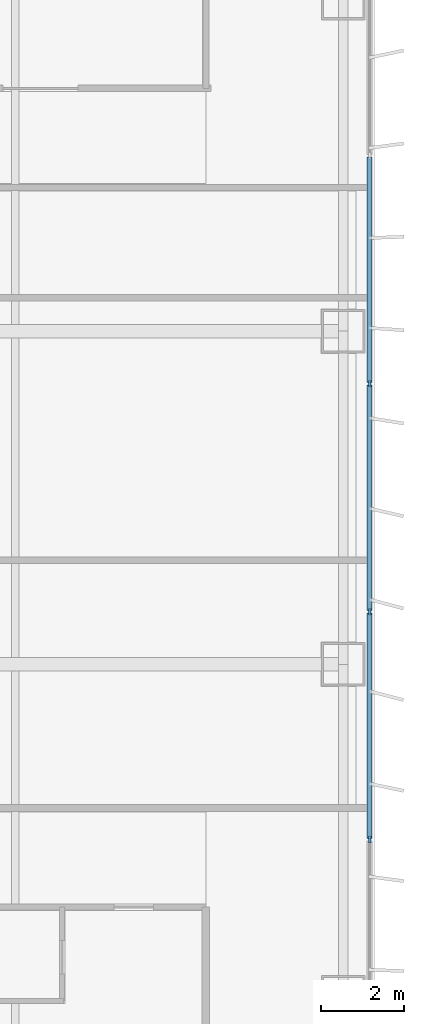
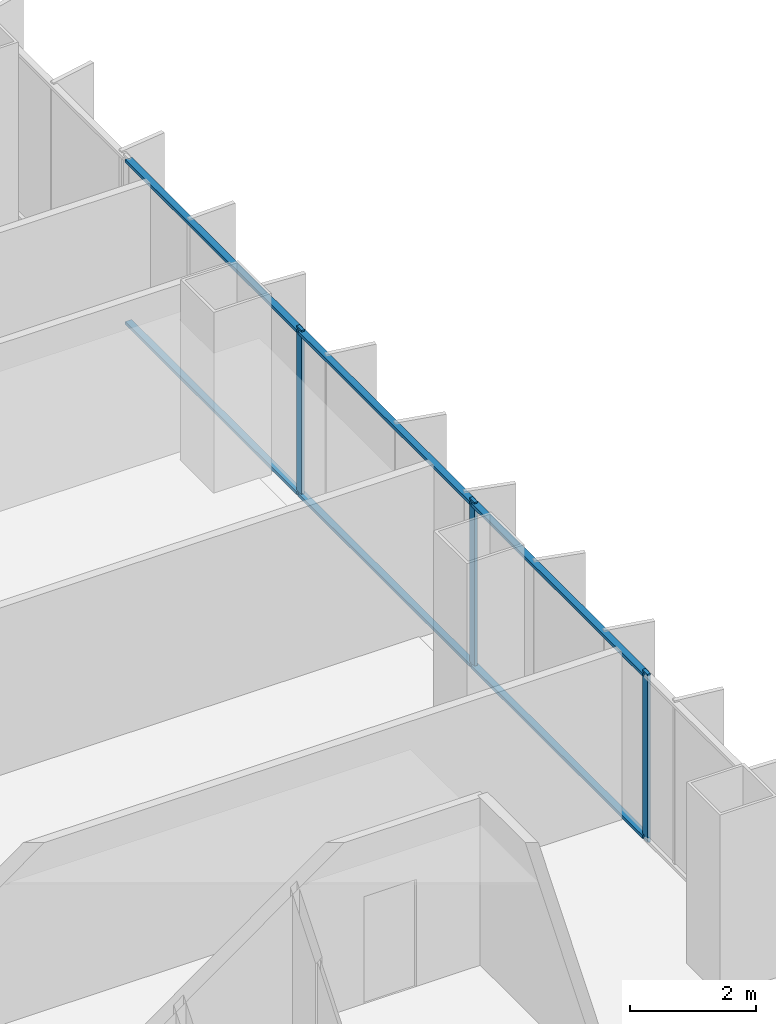
# One storey, part 8 of 19: 9 members, 1 element without a shape of its own.
"""IFC4 building model written with IfcOpenShell, lengths in metres."""

from ifc_helpers import new_model, si_unit, direction, frame, origin, origin_2d, place, context, subcontext, project, spatial, rectangle, extrude, material, layer, layer_set, material_profile, profile_set, type_object, element, aggregate, save


model = new_model("IFC4")

# Units and contexts
model_context = context("Model", 3, precision=1e-05, world=origin(), true_north=direction((0.0, 1.0)))
body_context = subcontext(model_context, "Body", "Model", "MODEL_VIEW")
ifc_project = project(units=[si_unit("LENGTHUNIT", "METRE"), si_unit("AREAUNIT", "SQUARE_METRE"), si_unit("VOLUMEUNIT", "CUBIC_METRE"), si_unit("PLANEANGLEUNIT", "RADIAN"), si_unit("MASSUNIT", "GRAM", prefix="KILO")], contexts=[model_context])

# Site, building, storey
site_placement = place(None, origin())
site = spatial("IfcSite", under=ifc_project, at=site_placement, CompositionType="ELEMENT")
building_placement = place(site_placement, origin())
building = spatial("IfcBuilding", under=site, at=building_placement, Name="Trevonay Congress Spire", CompositionType="ELEMENT")
storey_placement = place(building_placement, frame((0.0, 0.0, 58.5)))
storey = spatial("IfcBuildingStorey", under=building, at=storey_placement, Name="L14", CompositionType="ELEMENT", Elevation=58.5)

# Curtain wall, members
ifc_material = material(Name="Pale Anodised Aluminium EN AW-6063-T6", Category="aluminium")
ifc_layer = layer(ifc_material, 0.179931640625, Name="Pale Anodised Aluminium EN AW-6063-T6")
ifc_layer_set = layer_set([ifc_layer], Name="Pale Anodised Aluminium EN AW-6063-T6")
curtain_wall_type = type_object("IfcCurtainWallType", Name="CW-SYS02-HOTEL-PALE-METAL", PredefinedType="NOTDEFINED", material=ifc_layer_set)
curtain_wall_placement = place(storey_placement, origin())
curtain_wall = element("IfcCurtainWall", 1, at=curtain_wall_placement, inside=storey, type_object=curtain_wall_type, Name="L14 E unitised curtain wall", PredefinedType="NOTDEFINED")
ifc_material_profile_1 = material_profile(ifc_material, rectangle(XDim=0.06005859375, YDim=0.159912109375, at=origin_2d()), Name="CW-MULLION-160-ALUMINIUM")
ifc_profile_set_1 = profile_set([ifc_material_profile_1], Name="Pale Anodised Aluminium EN AW-6063-T6")
member_type_1 = type_object("IfcMemberType", Name="CW-MULLION-160-ALUMINIUM", PredefinedType="MULLION", material=ifc_profile_set_1)
member_1_placement = place(storey_placement, frame((23.8798828125, -8.20703125, 0.0), z_axis=(0.0, 0.0, 1.0), x_axis=(-1.0, 0.0, 0.0)))
member_1 = element("IfcMember", 2, at=member_1_placement, type_object=member_type_1, Name="CW02 mullion 3", PredefinedType="MULLION", context=body_context, shape_type="SweptSolid", body=[
    extrude(rectangle(XDim=0.06005859375, YDim=0.159912109375, at=origin_2d()), origin(), (0.0, 0.0, 1.0), 3.25),
])
member_2_placement = place(storey_placement, frame((23.8798828125, -2.735595703125, 0.0), z_axis=(0.0, 0.0, 1.0), x_axis=(-1.0, 0.0, 0.0)))
member_2 = element("IfcMember", 3, at=member_2_placement, type_object=member_type_1, Name="CW02 mullion 4", PredefinedType="MULLION", context=body_context, shape_type="SweptSolid", body=[
    extrude(rectangle(XDim=0.06005859375, YDim=0.159912109375, at=origin_2d()), origin(), (0.0, 0.0, 1.0), 3.25),
])
member_3_placement = place(storey_placement, frame((23.8798828125, 2.735595703125, 0.0), z_axis=(0.0, 0.0, 1.0), x_axis=(-1.0, 0.0, 0.0)))
member_3 = element("IfcMember", 4, at=member_3_placement, type_object=member_type_1, Name="CW02 mullion 5", PredefinedType="MULLION", context=body_context, shape_type="SweptSolid", body=[
    extrude(rectangle(XDim=0.06005859375, YDim=0.159912109375, at=origin_2d()), origin(), (0.0, 0.0, 1.0), 3.25),
])
ifc_material_profile_2 = material_profile(ifc_material, rectangle(XDim=0.1201171875, YDim=0.06005859375, at=origin_2d()), Name="CW-TRANSOM-120-ALUMINIUM")
ifc_profile_set_2 = profile_set([ifc_material_profile_2], Name="Pale Anodised Aluminium EN AW-6063-T6")
member_type_2 = type_object("IfcMemberType", Name="CW-TRANSOM-120-ALUMINIUM", PredefinedType="USERDEFINED", material=ifc_profile_set_2)
member_4_placement = place(storey_placement, frame((23.8798828125, -8.17724609375, 0.06005859375), z_axis=(0.0, 1.0, 0.0), x_axis=(-1.0, 0.0, 0.0)))
member_4 = element("IfcMember", 5, at=member_4_placement, type_object=member_type_2, Name="CW02 transom 3.1", ObjectType="TRANSOM", PredefinedType="USERDEFINED", context=body_context, shape_type="SweptSolid", body=[
    extrude(rectangle(XDim=0.1201171875, YDim=0.06005859375, at=origin_2d()), origin(), (0.0, 0.0, 1.0), 5.41162109375),
])
member_5_placement = place(storey_placement, frame((23.8798828125, -8.17724609375, 3.18994140625), z_axis=(0.0, 1.0, 0.0), x_axis=(-1.0, 0.0, 0.0)))
member_5 = element("IfcMember", 6, at=member_5_placement, type_object=member_type_2, Name="CW02 transom 3.2", ObjectType="TRANSOM", PredefinedType="USERDEFINED", context=body_context, shape_type="SweptSolid", body=[
    extrude(rectangle(XDim=0.1201171875, YDim=0.06005859375, at=origin_2d()), origin(), (0.0, 0.0, 1.0), 5.41162109375),
])
member_6_placement = place(storey_placement, frame((23.8798828125, -2.705810546875, 0.06005859375), z_axis=(0.0, 1.0, 0.0), x_axis=(-1.0, 0.0, 0.0)))
member_6 = element("IfcMember", 7, at=member_6_placement, type_object=member_type_2, Name="CW02 transom 4.1", ObjectType="TRANSOM", PredefinedType="USERDEFINED", context=body_context, shape_type="SweptSolid", body=[
    extrude(rectangle(XDim=0.1201171875, YDim=0.06005859375, at=origin_2d()), origin(), (0.0, 0.0, 1.0), 5.41162109375),
])
member_7_placement = place(storey_placement, frame((23.8798828125, -2.705810546875, 3.18994140625), z_axis=(0.0, 1.0, 0.0), x_axis=(-1.0, 0.0, 0.0)))
member_7 = element("IfcMember", 8, at=member_7_placement, type_object=member_type_2, Name="CW02 transom 4.2", ObjectType="TRANSOM", PredefinedType="USERDEFINED", context=body_context, shape_type="SweptSolid", body=[
    extrude(rectangle(XDim=0.1201171875, YDim=0.06005859375, at=origin_2d()), origin(), (0.0, 0.0, 1.0), 5.41162109375),
])
member_8_placement = place(storey_placement, frame((23.8798828125, 2.765625, 0.06005859375), z_axis=(0.0, 1.0, 0.0), x_axis=(-1.0, 0.0, 0.0)))
member_8 = element("IfcMember", 9, at=member_8_placement, type_object=member_type_2, Name="CW02 transom 5.1", ObjectType="TRANSOM", PredefinedType="USERDEFINED", context=body_context, shape_type="SweptSolid", body=[
    extrude(rectangle(XDim=0.1201171875, YDim=0.06005859375, at=origin_2d()), origin(), (0.0, 0.0, 1.0), 5.41162109375),
])
member_9_placement = place(storey_placement, frame((23.8798828125, 2.765625, 3.18994140625), z_axis=(0.0, 1.0, 0.0), x_axis=(-1.0, 0.0, 0.0)))
member_9 = element("IfcMember", 10, at=member_9_placement, type_object=member_type_2, Name="CW02 transom 5.2", ObjectType="TRANSOM", PredefinedType="USERDEFINED", context=body_context, shape_type="SweptSolid", body=[
    extrude(rectangle(XDim=0.1201171875, YDim=0.06005859375, at=origin_2d()), origin(), (0.0, 0.0, 1.0), 5.41162109375),
])
aggregate(curtain_wall, [member_1, member_2, member_3, member_4, member_5, member_6, member_7, member_8, member_9])

save(model, "model.ifc")
